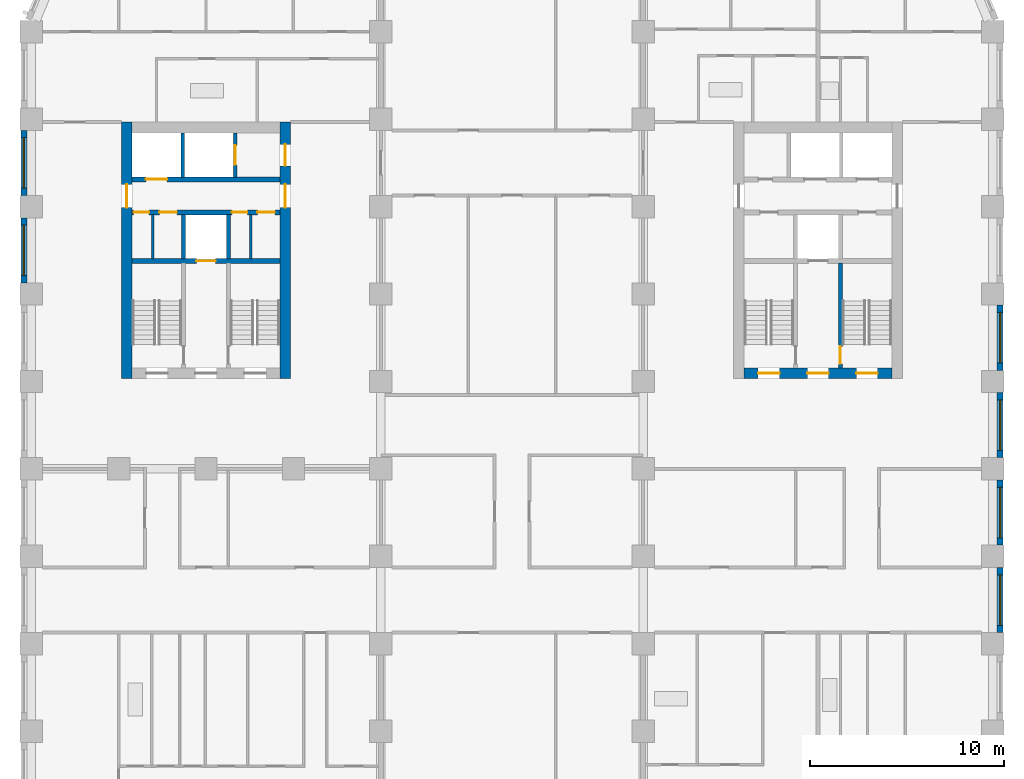
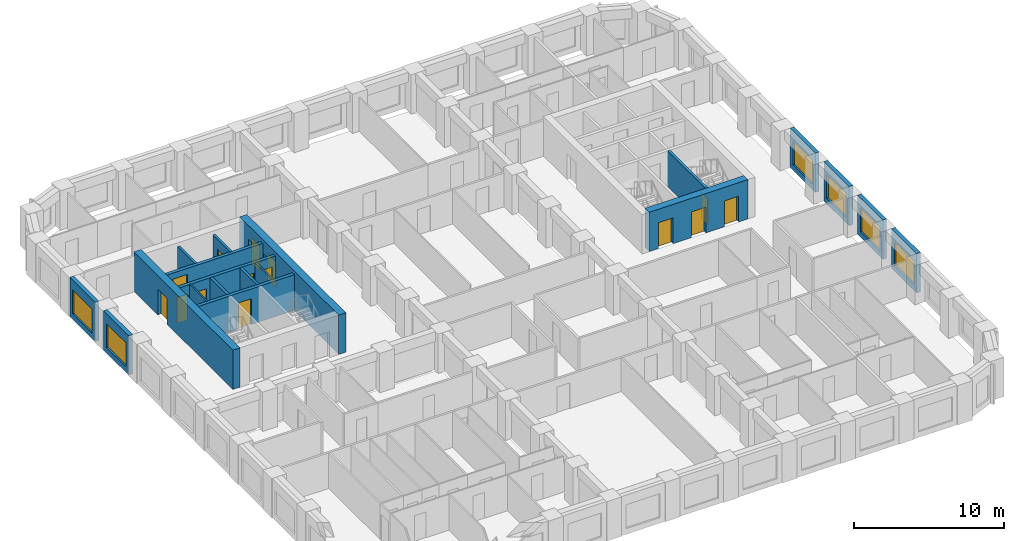
# One storey, part 6 of 13: 19 walls, 14 doors, 6 windows, 20 openings.
"""IFC4 building model written with IfcOpenShell, lengths in metres."""

from ifc_helpers import new_model, si_unit, direction, frame, frame_2d, origin, place, context, subcontext, project, spatial, rectangle, extrude, material, layer, layer_set, type_object, element, fill, save


model = new_model("IFC4")

# Units and contexts
model_context = context("Model", 3, precision=1e-05, world=origin(), true_north=direction((0.0, 1.0)))
body_context = subcontext(model_context, "Body", "Model", "MODEL_VIEW")
ifc_project = project(units=[si_unit("LENGTHUNIT", "METRE"), si_unit("AREAUNIT", "SQUARE_METRE"), si_unit("VOLUMEUNIT", "CUBIC_METRE"), si_unit("PLANEANGLEUNIT", "RADIAN"), si_unit("MASSUNIT", "GRAM", prefix="KILO")], contexts=[model_context])

# Site, building, storey
site_placement = place(None, origin())
site = spatial("IfcSite", under=ifc_project, at=site_placement, CompositionType="ELEMENT")
building_placement = place(site_placement, origin())
building = spatial("IfcBuilding", under=site, at=building_placement, Name="Girih Gate Residences", CompositionType="ELEMENT")
storey_placement = place(building_placement, frame((0.0, 0.0, 99.199951171875)))
storey = spatial("IfcBuildingStorey", under=building, at=storey_placement, Name="L27", CompositionType="ELEMENT", Elevation=99.199951171875)

# Wall, opening, door
ifc_material_1 = material(Name="Concrete C60/75", Category="concrete")
ifc_layer_1 = layer(ifc_material_1, 0.550048828125)
ifc_layer_set_1 = layer_set([ifc_layer_1], Name="Core wall RC 550 Concrete C60/75")
wall_type_1 = type_object("IfcWallType", Name="Core wall RC 550 Concrete C60/75", PredefinedType="SOLIDWALL", material=ifc_layer_set_1)
wall_1_placement = place(storey_placement, frame((4.925048828125, 27.14990234375, 0.0), z_axis=(0.0, 0.0, 1.0), x_axis=(0.0, 1.0, 0.0)))
wall_1 = element("IfcWall", 1, at=wall_1_placement, inside=storey, type_object=wall_type_1, Name="Core wall W-W L27", PredefinedType="SOLIDWALL", context=body_context, shape_type="SweptSolid", body=[
    extrude(rectangle(XDim=13.2001953125, YDim=0.550048828125, at=frame_2d((6.60009765625, 0.0))), origin(), (0.0, 0.0, 1.0), 3.199951171875),
])
opening_1_placement = place(wall_1_placement, frame((8.800048828125, 0.0, 0.0)))
opening_1 = element("IfcOpeningElement", 2, at=opening_1_placement, cuts=wall_1, Name="Opening D-L27-W-014", PredefinedType="OPENING", context=body_context, shape_type="SweptSolid", body=[
    extrude(rectangle(XDim=1.199951171875, YDim=2.10009765625, at=frame_2d((0.60009765625, 1.050048828125))), frame((0.0, 0.284912109375, 0.0), z_axis=(0.0, -1.0, 0.0), x_axis=(1.0, 0.0, 0.0)), (0.0, 0.0, 1.0), 0.570068359375),
])
ifc_material_2 = material(Name="Painted steel, fire-resisting", Category="steel")
door_type_1 = type_object("IfcDoorType", Name="Fire door 1200x2100", OperationType="SINGLE_SWING_LEFT", PredefinedType="DOOR", material=ifc_material_2)
door_1_placement = place(opening_1_placement, origin())
door_1 = element("IfcDoor", 3, at=door_1_placement, inside=storey, type_object=door_type_1, Name="L27 W core door ll-w", OperationType="SINGLE_SWING_LEFT", OverallHeight=2.10009765625, OverallWidth=1.199951171875, PredefinedType="DOOR", context=body_context, shape_type="SweptSolid", body=[
    extrude(rectangle(XDim=1.199951171875, YDim=2.10009765625, at=frame_2d((0.60009765625, 1.050048828125))), frame((0.0, 0.02490234375, 0.0), z_axis=(0.0, -1.0, 0.0), x_axis=(1.0, 0.0, 0.0)), (0.0, 0.0, 1.0), 0.050048828125),
])
fill(opening_1, door_1)

# Wall, openings, doors
wall_2_placement = place(storey_placement, frame((13.074951171875, 27.14990234375, 0.0), z_axis=(0.0, 0.0, 1.0), x_axis=(0.0, 1.0, 0.0)))
wall_2 = element("IfcWall", 4, at=wall_2_placement, inside=storey, type_object=wall_type_1, Name="Core wall W-E L27", PredefinedType="SOLIDWALL", context=body_context, shape_type="SweptSolid", body=[
    extrude(rectangle(XDim=13.2001953125, YDim=0.550048828125, at=frame_2d((6.60009765625, 0.0))), origin(), (0.0, 0.0, 1.0), 3.199951171875),
])
opening_2_placement = place(wall_2_placement, frame((10.949951171875, 0.0, 0.0)))
opening_2 = element("IfcOpeningElement", 5, at=opening_2_placement, cuts=wall_2, Name="Opening D-L27-W-013", PredefinedType="OPENING", context=body_context, shape_type="SweptSolid", body=[
    extrude(rectangle(XDim=1.10009765625, YDim=2.10009765625, at=frame_2d((0.550048828125, 1.050048828125))), frame((0.0, 0.284912109375, 0.0), z_axis=(0.0, -1.0, 0.0), x_axis=(1.0, 0.0, 0.0)), (0.0, 0.0, 1.0), 0.570068359375),
])
opening_3_placement = place(wall_2_placement, frame((8.800048828125, 0.0, 0.0)))
opening_3 = element("IfcOpeningElement", 6, at=opening_3_placement, cuts=wall_2, Name="Opening D-L27-W-015", PredefinedType="OPENING", context=body_context, shape_type="SweptSolid", body=[
    extrude(rectangle(XDim=1.199951171875, YDim=2.10009765625, at=frame_2d((0.60009765625, 1.050048828125))), frame((0.0, 0.284912109375, 0.0), z_axis=(0.0, -1.0, 0.0), x_axis=(1.0, 0.0, 0.0)), (0.0, 0.0, 1.0), 0.570068359375),
])
door_type_2 = type_object("IfcDoorType", Name="Fire door 1100x2100", OperationType="SINGLE_SWING_LEFT", PredefinedType="DOOR", material=ifc_material_2)
door_2_placement = place(opening_2_placement, origin())
door_2 = element("IfcDoor", 7, at=door_2_placement, inside=storey, type_object=door_type_2, Name="L27 W core door ffl2-e", OperationType="SINGLE_SWING_LEFT", OverallHeight=2.10009765625, OverallWidth=1.10009765625, PredefinedType="DOOR", context=body_context, shape_type="SweptSolid", body=[
    extrude(rectangle(XDim=1.10009765625, YDim=2.10009765625, at=frame_2d((0.550048828125, 1.050048828125))), frame((0.0, 0.02490234375, 0.0), z_axis=(0.0, -1.0, 0.0), x_axis=(1.0, 0.0, 0.0)), (0.0, 0.0, 1.0), 0.050048828125),
])
fill(opening_2, door_2)
door_3_placement = place(opening_3_placement, origin())
door_3 = element("IfcDoor", 8, at=door_3_placement, inside=storey, type_object=door_type_1, Name="L27 W core door ll-e", OperationType="SINGLE_SWING_LEFT", OverallHeight=2.10009765625, OverallWidth=1.199951171875, PredefinedType="DOOR", context=body_context, shape_type="SweptSolid", body=[
    extrude(rectangle(XDim=1.199951171875, YDim=2.10009765625, at=frame_2d((0.60009765625, 1.050048828125))), frame((0.0, 0.02490234375, 0.0), z_axis=(0.0, -1.0, 0.0), x_axis=(1.0, 0.0, 0.0)), (0.0, 0.0, 1.0), 0.050048828125),
])
fill(opening_3, door_3)

wall_3_placement = place(storey_placement, frame((36.699951171875, 27.425048828125, 0.0), z_axis=(0.0, 0.0, 1.0), x_axis=(1.0, 0.0, 0.0)))
wall_3 = element("IfcWall", 9, at=wall_3_placement, inside=storey, type_object=wall_type_1, Name="Core wall E-S L27", PredefinedType="SOLIDWALL", context=body_context, shape_type="SweptSolid", body=[
    extrude(rectangle(XDim=7.60009765625, YDim=0.550048828125, at=frame_2d((3.800048828125, 0.0))), origin(), (0.0, 0.0, 1.0), 3.199951171875),
])
opening_4_placement = place(wall_3_placement, frame((5.77490234375, 0.0, 0.0)))
opening_4 = element("IfcOpeningElement", 10, at=opening_4_placement, cuts=wall_3, Name="Opening D-L27-E-009", PredefinedType="OPENING", context=body_context, shape_type="SweptSolid", body=[
    extrude(rectangle(XDim=1.10009765625, YDim=2.10009765625, at=frame_2d((0.550048828125, 1.050048828125))), frame((0.0, 0.284912109375, 0.0), z_axis=(0.0, -1.0, 0.0), x_axis=(1.0, 0.0, 0.0)), (0.0, 0.0, 1.0), 0.570068359375),
])
opening_5_placement = place(wall_3_placement, frame((3.25, 0.0, 0.0)))
opening_5 = element("IfcOpeningElement", 11, at=opening_5_placement, cuts=wall_3, Name="Opening D-L27-E-010", PredefinedType="OPENING", context=body_context, shape_type="SweptSolid", body=[
    extrude(rectangle(XDim=1.10009765625, YDim=2.10009765625, at=frame_2d((0.550048828125, 1.050048828125))), frame((0.0, 0.284912109375, 0.0), z_axis=(0.0, -1.0, 0.0), x_axis=(1.0, 0.0, 0.0)), (0.0, 0.0, 1.0), 0.570068359375),
])
opening_6_placement = place(wall_3_placement, frame((0.72509765625, 0.0, 0.0)))
opening_6 = element("IfcOpeningElement", 12, at=opening_6_placement, cuts=wall_3, Name="Opening D-L27-E-011", PredefinedType="OPENING", context=body_context, shape_type="SweptSolid", body=[
    extrude(rectangle(XDim=1.10009765625, YDim=2.10009765625, at=frame_2d((0.550048828125, 1.050048828125))), frame((0.0, 0.284912109375, 0.0), z_axis=(0.0, -1.0, 0.0), x_axis=(1.0, 0.0, 0.0)), (0.0, 0.0, 1.0), 0.570068359375),
])
door_4_placement = place(opening_4_placement, origin())
door_4 = element("IfcDoor", 13, at=door_4_placement, inside=storey, type_object=door_type_2, Name="L27 E core door sta-out", OperationType="SINGLE_SWING_LEFT", OverallHeight=2.10009765625, OverallWidth=1.10009765625, PredefinedType="DOOR", context=body_context, shape_type="SweptSolid", body=[
    extrude(rectangle(XDim=1.10009765625, YDim=2.10009765625, at=frame_2d((0.550048828125, 1.050048828125))), frame((0.0, 0.02490234375, 0.0), z_axis=(0.0, -1.0, 0.0), x_axis=(1.0, 0.0, 0.0)), (0.0, 0.0, 1.0), 0.050048828125),
])
fill(opening_4, door_4)
door_5_placement = place(opening_5_placement, origin())
door_5 = element("IfcDoor", 14, at=door_5_placement, inside=storey, type_object=door_type_2, Name="L27 E core door ffl-out", OperationType="SINGLE_SWING_LEFT", OverallHeight=2.10009765625, OverallWidth=1.10009765625, PredefinedType="DOOR", context=body_context, shape_type="SweptSolid", body=[
    extrude(rectangle(XDim=1.10009765625, YDim=2.10009765625, at=frame_2d((0.550048828125, 1.050048828125))), frame((0.0, 0.02490234375, 0.0), z_axis=(0.0, -1.0, 0.0), x_axis=(1.0, 0.0, 0.0)), (0.0, 0.0, 1.0), 0.050048828125),
])
fill(opening_5, door_5)
door_6_placement = place(opening_6_placement, origin())
door_6 = element("IfcDoor", 15, at=door_6_placement, inside=storey, type_object=door_type_2, Name="L27 E core door stb-out", OperationType="SINGLE_SWING_LEFT", OverallHeight=2.10009765625, OverallWidth=1.10009765625, PredefinedType="DOOR", context=body_context, shape_type="SweptSolid", body=[
    extrude(rectangle(XDim=1.10009765625, YDim=2.10009765625, at=frame_2d((0.550048828125, 1.050048828125))), frame((0.0, 0.02490234375, 0.0), z_axis=(0.0, -1.0, 0.0), x_axis=(1.0, 0.0, 0.0)), (0.0, 0.0, 1.0), 0.050048828125),
])
fill(opening_6, door_6)

# Wall, opening, door
ifc_material_3 = material(Name="Concrete C40/50", Category="concrete")
ifc_layer_2 = layer(ifc_material_3, 0.25)
ifc_layer_set_2 = layer_set([ifc_layer_2], Name="Lift shaft wall 250")
wall_type_2 = type_object("IfcWallType", Name="Lift shaft wall 250", PredefinedType="SOLIDWALL", material=ifc_layer_set_2)
wall_4_placement = place(storey_placement, frame((5.199951171875, 33.199951171875, 0.0), z_axis=(0.0, 0.0, 1.0), x_axis=(1.0, 0.0, 0.0)))
wall_4 = element("IfcWall", 16, at=wall_4_placement, inside=storey, type_object=wall_type_2, Name="L27 W core wall H1", PredefinedType="SOLIDWALL", context=body_context, shape_type="SweptSolid", body=[
    extrude(rectangle(XDim=7.60009765625, YDim=0.25, at=frame_2d((3.800048828125, 0.0))), origin(), (0.0, 0.0, 1.0), 2.900146484375),
])
opening_7_placement = place(wall_4_placement, frame((3.300048828125, 0.0, 0.0)))
opening_7 = element("IfcOpeningElement", 17, at=opening_7_placement, cuts=wall_4, Name="Opening D-L27-W-005", PredefinedType="OPENING", context=body_context, shape_type="SweptSolid", body=[
    extrude(rectangle(XDim=1.0, YDim=2.10009765625, at=frame_2d((0.5, 1.050048828125))), frame((0.0, 0.135009765625, 0.0), z_axis=(0.0, -1.0, 0.0), x_axis=(1.0, 0.0, 0.0)), (0.0, 0.0, 1.0), 0.27001953125),
])
ifc_material_4 = material(Name="Stainless steel, fire-resisting", Category="steel")
door_type_3 = type_object("IfcDoorType", Name="Firefighting lift landing door 1000x2100", OperationType="SLIDING_TO_LEFT", PredefinedType="DOOR", material=ifc_material_4)
door_7_placement = place(opening_7_placement, origin())
door_7 = element("IfcDoor", 18, at=door_7_placement, inside=storey, type_object=door_type_3, Name="L27 lift FF-W landing door", OperationType="SLIDING_TO_LEFT", OverallHeight=2.10009765625, OverallWidth=1.0, PredefinedType="DOOR", context=body_context, shape_type="SweptSolid", body=[
    extrude(rectangle(XDim=1.0, YDim=2.10009765625, at=frame_2d((0.5, 1.050048828125))), frame((0.0, 0.02490234375, 0.0), z_axis=(0.0, -1.0, 0.0), x_axis=(1.0, 0.0, 0.0)), (0.0, 0.0, 1.0), 0.050048828125),
])
fill(opening_7, door_7)

# Wall, openings, doors
wall_5_placement = place(storey_placement, frame((5.199951171875, 35.699951171875, 0.0), z_axis=(0.0, 0.0, 1.0), x_axis=(1.0, 0.0, 0.0)))
wall_5 = element("IfcWall", 19, at=wall_5_placement, inside=storey, type_object=wall_type_2, Name="L27 W core wall H2", PredefinedType="SOLIDWALL", context=body_context, shape_type="SweptSolid", body=[
    extrude(rectangle(XDim=7.60009765625, YDim=0.25, at=frame_2d((3.800048828125, 0.0))), origin(), (0.0, 0.0, 1.0), 2.900146484375),
])
opening_8_placement = place(wall_5_placement, frame((0.074951171875, 0.0, 0.0)))
opening_8 = element("IfcOpeningElement", 20, at=opening_8_placement, cuts=wall_5, Name="Opening D-L27-W-006", PredefinedType="OPENING", context=body_context, shape_type="SweptSolid", body=[
    extrude(rectangle(XDim=0.800048828125, YDim=2.10009765625, at=frame_2d((0.39990234375, 1.050048828125))), frame((0.0, 0.135009765625, 0.0), z_axis=(0.0, -1.0, 0.0), x_axis=(1.0, 0.0, 0.0)), (0.0, 0.0, 1.0), 0.27001953125),
])
opening_9_placement = place(wall_5_placement, frame((1.39990234375, 0.0, 0.0)))
opening_9 = element("IfcOpeningElement", 21, at=opening_9_placement, cuts=wall_5, Name="Opening D-L27-W-007", PredefinedType="OPENING", context=body_context, shape_type="SweptSolid", body=[
    extrude(rectangle(XDim=0.89990234375, YDim=2.10009765625, at=frame_2d((0.449951171875, 1.050048828125))), frame((0.0, 0.135009765625, 0.0), z_axis=(0.0, -1.0, 0.0), x_axis=(1.0, 0.0, 0.0)), (0.0, 0.0, 1.0), 0.27001953125),
])
opening_10_placement = place(wall_5_placement, frame((5.125, 0.0, 0.0)))
opening_10 = element("IfcOpeningElement", 22, at=opening_10_placement, cuts=wall_5, Name="Opening D-L27-W-008", PredefinedType="OPENING", context=body_context, shape_type="SweptSolid", body=[
    extrude(rectangle(XDim=0.800048828125, YDim=2.10009765625, at=frame_2d((0.39990234375, 1.050048828125))), frame((0.0, 0.135009765625, 0.0), z_axis=(0.0, -1.0, 0.0), x_axis=(1.0, 0.0, 0.0)), (0.0, 0.0, 1.0), 0.27001953125),
])
opening_11_placement = place(wall_5_placement, frame((6.449951171875, 0.0, 0.0)))
opening_11 = element("IfcOpeningElement", 23, at=opening_11_placement, cuts=wall_5, Name="Opening D-L27-W-009", PredefinedType="OPENING", context=body_context, shape_type="SweptSolid", body=[
    extrude(rectangle(XDim=0.89990234375, YDim=2.10009765625, at=frame_2d((0.449951171875, 1.050048828125))), frame((0.0, 0.135009765625, 0.0), z_axis=(0.0, -1.0, 0.0), x_axis=(1.0, 0.0, 0.0)), (0.0, 0.0, 1.0), 0.27001953125),
])
door_type_4 = type_object("IfcDoorType", Name="Fire door 800x2100", OperationType="SINGLE_SWING_LEFT", PredefinedType="DOOR", material=ifc_material_2)
door_8_placement = place(opening_8_placement, origin())
door_8 = element("IfcDoor", 24, at=door_8_placement, inside=storey, type_object=door_type_4, Name="L27 W linen store door", OperationType="SINGLE_SWING_LEFT", OverallHeight=2.10009765625, OverallWidth=0.800048828125, PredefinedType="DOOR", context=body_context, shape_type="SweptSolid", body=[
    extrude(rectangle(XDim=0.800048828125, YDim=2.10009765625, at=frame_2d((0.39990234375, 1.050048828125))), frame((0.0, 0.02490234375, 0.0), z_axis=(0.0, -1.0, 0.0), x_axis=(1.0, 0.0, 0.0)), (0.0, 0.0, 1.0), 0.050048828125),
])
fill(opening_8, door_8)
door_9_placement = place(opening_10_placement, origin())
door_9 = element("IfcDoor", 25, at=door_9_placement, inside=storey, type_object=door_type_4, Name="L27 W housekeeping store door", OperationType="SINGLE_SWING_LEFT", OverallHeight=2.10009765625, OverallWidth=0.800048828125, PredefinedType="DOOR", context=body_context, shape_type="SweptSolid", body=[
    extrude(rectangle(XDim=0.800048828125, YDim=2.10009765625, at=frame_2d((0.39990234375, 1.050048828125))), frame((0.0, 0.02490234375, 0.0), z_axis=(0.0, -1.0, 0.0), x_axis=(1.0, 0.0, 0.0)), (0.0, 0.0, 1.0), 0.050048828125),
])
fill(opening_10, door_9)
door_type_5 = type_object("IfcDoorType", Name="Fire door 900x2100", OperationType="SINGLE_SWING_LEFT", PredefinedType="DOOR", material=ifc_material_2)
door_10_placement = place(opening_9_placement, origin())
door_10 = element("IfcDoor", 26, at=door_10_placement, inside=storey, type_object=door_type_5, Name="L27 W store door", OperationType="SINGLE_SWING_LEFT", OverallHeight=2.10009765625, OverallWidth=0.89990234375, PredefinedType="DOOR", context=body_context, shape_type="SweptSolid", body=[
    extrude(rectangle(XDim=0.89990234375, YDim=2.10009765625, at=frame_2d((0.449951171875, 1.050048828125))), frame((0.0, 0.02490234375, 0.0), z_axis=(0.0, -1.0, 0.0), x_axis=(1.0, 0.0, 0.0)), (0.0, 0.0, 1.0), 0.050048828125),
])
fill(opening_9, door_10)
door_11_placement = place(opening_11_placement, origin())
door_11 = element("IfcDoor", 27, at=door_11_placement, inside=storey, type_object=door_type_5, Name="L27 W refuse store door", OperationType="SINGLE_SWING_LEFT", OverallHeight=2.10009765625, OverallWidth=0.89990234375, PredefinedType="DOOR", context=body_context, shape_type="SweptSolid", body=[
    extrude(rectangle(XDim=0.89990234375, YDim=2.10009765625, at=frame_2d((0.449951171875, 1.050048828125))), frame((0.0, 0.02490234375, 0.0), z_axis=(0.0, -1.0, 0.0), x_axis=(1.0, 0.0, 0.0)), (0.0, 0.0, 1.0), 0.050048828125),
])
fill(opening_11, door_11)

# Wall, opening, door
wall_6_placement = place(storey_placement, frame((5.199951171875, 37.39990234375, 0.0), z_axis=(0.0, 0.0, 1.0), x_axis=(1.0, 0.0, 0.0)))
wall_6 = element("IfcWall", 28, at=wall_6_placement, inside=storey, type_object=wall_type_2, Name="L27 W core wall H3", PredefinedType="SOLIDWALL", context=body_context, shape_type="SweptSolid", body=[
    extrude(rectangle(XDim=7.60009765625, YDim=0.25, at=frame_2d((3.800048828125, 0.0))), origin(), (0.0, 0.0, 1.0), 2.900146484375),
])
opening_12_placement = place(wall_6_placement, frame((0.699951171875, 0.0, 0.0)))
opening_12 = element("IfcOpeningElement", 29, at=opening_12_placement, cuts=wall_6, Name="Opening D-L27-W-003", PredefinedType="OPENING", context=body_context, shape_type="SweptSolid", body=[
    extrude(rectangle(XDim=1.10009765625, YDim=2.39990234375, at=frame_2d((0.550048828125, 1.199951171875))), frame((0.0, 0.135009765625, 0.0), z_axis=(0.0, -1.0, 0.0), x_axis=(1.0, 0.0, 0.0)), (0.0, 0.0, 1.0), 0.27001953125),
])
ifc_material_5 = material(Name="Stainless steel", Category="steel")
door_type_6 = type_object("IfcDoorType", Name="Lift landing door 1100x2400", OperationType="SLIDING_TO_LEFT", PredefinedType="DOOR", material=ifc_material_5)
door_12_placement = place(opening_12_placement, origin())
door_12 = element("IfcDoor", 30, at=door_12_placement, inside=storey, type_object=door_type_6, Name="L27 lift LR-W1 landing door", OperationType="SLIDING_TO_LEFT", OverallHeight=2.39990234375, OverallWidth=1.10009765625, PredefinedType="DOOR", context=body_context, shape_type="SweptSolid", body=[
    extrude(rectangle(XDim=1.10009765625, YDim=2.39990234375, at=frame_2d((0.550048828125, 1.199951171875))), frame((0.0, 0.02490234375, 0.0), z_axis=(0.0, -1.0, 0.0), x_axis=(1.0, 0.0, 0.0)), (0.0, 0.0, 1.0), 0.050048828125),
])
fill(opening_12, door_12)

# Wall, opening, window
ifc_material_6 = material(Name="Precast concrete C50/60", Category="concrete")
ifc_layer_3 = layer(ifc_material_6, 0.080078125, Name="Outer leaf")
ifc_material_7 = material(Name="Rigid PIR insulation")
ifc_layer_4 = layer(ifc_material_7, 0.14990234375, Name="Insulation")
ifc_material_8 = material(Name="Precast concrete C40/50", Category="concrete")
ifc_layer_5 = layer(ifc_material_8, 0.070068359375, Name="Inner leaf")
ifc_layer_set_3 = layer_set([ifc_layer_3, ifc_layer_4, ifc_layer_5], Name="Precast concrete C50/60 external wall 300")
wall_type_3 = type_object("IfcWallType", Name="Precast concrete C50/60 external wall 300", PredefinedType="SOLIDWALL", material=ifc_layer_set_3)
wall_7_placement = place(storey_placement, frame((49.875, 17.425048828125, 0.0), z_axis=(0.0, 0.0, 1.0), x_axis=(0.0, -1.0, 0.0)))
wall_7 = element("IfcWall", 31, at=wall_7_placement, inside=storey, type_object=wall_type_3, Name="External wall E0495_0045.2", PredefinedType="SOLIDWALL", context=body_context, shape_type="SweptSolid", body=[
    extrude(rectangle(XDim=3.35009765625, YDim=0.300048828125, at=frame_2d((1.675048828125, 0.0))), origin(), (0.0, 0.0, 1.0), 3.199951171875),
])
opening_13_placement = place(wall_7_placement, frame((0.375, 0.0, 0.449951171875)))
opening_13 = element("IfcOpeningElement", 32, at=opening_13_placement, cuts=wall_7, Name="Opening W-1A", PredefinedType="OPENING", context=body_context, shape_type="SweptSolid", body=[
    extrude(rectangle(XDim=2.60009765625, YDim=1.949951171875, at=frame_2d((1.300048828125, 0.97509765625))), frame((0.0, 0.159912109375, 0.0), z_axis=(0.0, -1.0, 0.0), x_axis=(1.0, 0.0, 0.0)), (0.0, 0.0, 1.0), 0.320068359375),
])
ifc_material_9 = material(Name="Double glazing in aluminium frame", Category="aluminium")
window_type = type_object("IfcWindowType", Name="Window W-1A 2600x1950", PartitioningType="SINGLE_PANEL", PredefinedType="WINDOW", material=ifc_material_9)
window_1_placement = place(opening_13_placement, origin())
window_1 = element("IfcWindow", 33, at=window_1_placement, inside=storey, type_object=window_type, Name="Window W-1A E0495_0045.2", OverallHeight=1.949951171875, OverallWidth=2.60009765625, PartitioningType="SINGLE_PANEL", PredefinedType="WINDOW", context=body_context, shape_type="SweptSolid", body=[
    extrude(rectangle(XDim=2.60009765625, YDim=1.949951171875, at=frame_2d((1.300048828125, 0.97509765625))), frame((0.0, 0.030029296875, 0.0), z_axis=(0.0, -1.0, 0.0), x_axis=(1.0, 0.0, 0.0)), (0.0, 0.0, 1.0), 0.06005859375),
])
fill(opening_13, window_1)

wall_8_placement = place(storey_placement, frame((49.875, 21.925048828125, 0.0), z_axis=(0.0, 0.0, 1.0), x_axis=(0.0, -1.0, 0.0)))
wall_8 = element("IfcWall", 34, at=wall_8_placement, inside=storey, type_object=wall_type_3, Name="External wall E0495_0045.3", PredefinedType="SOLIDWALL", context=body_context, shape_type="SweptSolid", body=[
    extrude(rectangle(XDim=3.35009765625, YDim=0.300048828125, at=frame_2d((1.675048828125, 0.0))), origin(), (0.0, 0.0, 1.0), 3.199951171875),
])
opening_14_placement = place(wall_8_placement, frame((0.375, 0.0, 0.449951171875)))
opening_14 = element("IfcOpeningElement", 35, at=opening_14_placement, cuts=wall_8, Name="Opening W-1A", PredefinedType="OPENING", context=body_context, shape_type="SweptSolid", body=[
    extrude(rectangle(XDim=2.60009765625, YDim=1.949951171875, at=frame_2d((1.300048828125, 0.97509765625))), frame((0.0, 0.159912109375, 0.0), z_axis=(0.0, -1.0, 0.0), x_axis=(1.0, 0.0, 0.0)), (0.0, 0.0, 1.0), 0.320068359375),
])
window_2_placement = place(opening_14_placement, origin())
window_2 = element("IfcWindow", 36, at=window_2_placement, inside=storey, type_object=window_type, Name="Window W-1A E0495_0045.3", OverallHeight=1.949951171875, OverallWidth=2.60009765625, PartitioningType="SINGLE_PANEL", PredefinedType="WINDOW", context=body_context, shape_type="SweptSolid", body=[
    extrude(rectangle(XDim=2.60009765625, YDim=1.949951171875, at=frame_2d((1.300048828125, 0.97509765625))), frame((0.0, 0.030029296875, 0.0), z_axis=(0.0, -1.0, 0.0), x_axis=(1.0, 0.0, 0.0)), (0.0, 0.0, 1.0), 0.06005859375),
])
fill(opening_14, window_2)

wall_9_placement = place(storey_placement, frame((49.875, 26.425048828125, 0.0), z_axis=(0.0, 0.0, 1.0), x_axis=(0.0, -1.0, 0.0)))
wall_9 = element("IfcWall", 37, at=wall_9_placement, inside=storey, type_object=wall_type_3, Name="External wall E0495_0045.4", PredefinedType="SOLIDWALL", context=body_context, shape_type="SweptSolid", body=[
    extrude(rectangle(XDim=3.35009765625, YDim=0.300048828125, at=frame_2d((1.675048828125, 0.0))), origin(), (0.0, 0.0, 1.0), 3.199951171875),
])
opening_15_placement = place(wall_9_placement, frame((0.375, 0.0, 0.449951171875)))
opening_15 = element("IfcOpeningElement", 38, at=opening_15_placement, cuts=wall_9, Name="Opening W-1A", PredefinedType="OPENING", context=body_context, shape_type="SweptSolid", body=[
    extrude(rectangle(XDim=2.60009765625, YDim=1.949951171875, at=frame_2d((1.300048828125, 0.97509765625))), frame((0.0, 0.159912109375, 0.0), z_axis=(0.0, -1.0, 0.0), x_axis=(1.0, 0.0, 0.0)), (0.0, 0.0, 1.0), 0.320068359375),
])
window_3_placement = place(opening_15_placement, origin())
window_3 = element("IfcWindow", 39, at=window_3_placement, inside=storey, type_object=window_type, Name="Window W-1A E0495_0045.4", OverallHeight=1.949951171875, OverallWidth=2.60009765625, PartitioningType="SINGLE_PANEL", PredefinedType="WINDOW", context=body_context, shape_type="SweptSolid", body=[
    extrude(rectangle(XDim=2.60009765625, YDim=1.949951171875, at=frame_2d((1.300048828125, 0.97509765625))), frame((0.0, 0.030029296875, 0.0), z_axis=(0.0, -1.0, 0.0), x_axis=(1.0, 0.0, 0.0)), (0.0, 0.0, 1.0), 0.06005859375),
])
fill(opening_15, window_3)

wall_10_placement = place(storey_placement, frame((49.875, 30.925048828125, 0.0), z_axis=(0.0, 0.0, 1.0), x_axis=(0.0, -1.0, 0.0)))
wall_10 = element("IfcWall", 40, at=wall_10_placement, inside=storey, type_object=wall_type_3, Name="External wall E0495_0045.5", PredefinedType="SOLIDWALL", context=body_context, shape_type="SweptSolid", body=[
    extrude(rectangle(XDim=3.35009765625, YDim=0.300048828125, at=frame_2d((1.675048828125, 0.0))), origin(), (0.0, 0.0, 1.0), 3.199951171875),
])
opening_16_placement = place(wall_10_placement, frame((0.375, 0.0, 0.449951171875)))
opening_16 = element("IfcOpeningElement", 41, at=opening_16_placement, cuts=wall_10, Name="Opening W-1A", PredefinedType="OPENING", context=body_context, shape_type="SweptSolid", body=[
    extrude(rectangle(XDim=2.60009765625, YDim=1.949951171875, at=frame_2d((1.300048828125, 0.97509765625))), frame((0.0, 0.159912109375, 0.0), z_axis=(0.0, -1.0, 0.0), x_axis=(1.0, 0.0, 0.0)), (0.0, 0.0, 1.0), 0.320068359375),
])
window_4_placement = place(opening_16_placement, origin())
window_4 = element("IfcWindow", 42, at=window_4_placement, inside=storey, type_object=window_type, Name="Window W-1A E0495_0045.5", OverallHeight=1.949951171875, OverallWidth=2.60009765625, PartitioningType="SINGLE_PANEL", PredefinedType="WINDOW", context=body_context, shape_type="SweptSolid", body=[
    extrude(rectangle(XDim=2.60009765625, YDim=1.949951171875, at=frame_2d((1.300048828125, 0.97509765625))), frame((0.0, 0.030029296875, 0.0), z_axis=(0.0, -1.0, 0.0), x_axis=(1.0, 0.0, 0.0)), (0.0, 0.0, 1.0), 0.06005859375),
])
fill(opening_16, window_4)

wall_11_placement = place(storey_placement, frame((-0.375, 36.574951171875, 0.0), z_axis=(0.0, 0.0, 1.0), x_axis=(0.0, 1.0, 0.0)))
wall_11 = element("IfcWall", 43, at=wall_11_placement, inside=storey, type_object=wall_type_3, Name="External wall W0000_0450.1", PredefinedType="SOLIDWALL", context=body_context, shape_type="SweptSolid", body=[
    extrude(rectangle(XDim=3.35009765625, YDim=0.300048828125, at=frame_2d((1.675048828125, 0.0))), origin(), (0.0, 0.0, 1.0), 3.199951171875),
])
opening_17_placement = place(wall_11_placement, frame((0.375, 0.0, 0.449951171875)))
opening_17 = element("IfcOpeningElement", 44, at=opening_17_placement, cuts=wall_11, Name="Opening W-1A", PredefinedType="OPENING", context=body_context, shape_type="SweptSolid", body=[
    extrude(rectangle(XDim=2.60009765625, YDim=1.949951171875, at=frame_2d((1.300048828125, 0.97509765625))), frame((0.0, 0.159912109375, 0.0), z_axis=(0.0, -1.0, 0.0), x_axis=(1.0, 0.0, 0.0)), (0.0, 0.0, 1.0), 0.320068359375),
])
window_5_placement = place(opening_17_placement, origin())
window_5 = element("IfcWindow", 45, at=window_5_placement, inside=storey, type_object=window_type, Name="Window W-1A W0000_0450.1", OverallHeight=1.949951171875, OverallWidth=2.60009765625, PartitioningType="SINGLE_PANEL", PredefinedType="WINDOW", context=body_context, shape_type="SweptSolid", body=[
    extrude(rectangle(XDim=2.60009765625, YDim=1.949951171875, at=frame_2d((1.300048828125, 0.97509765625))), frame((0.0, 0.030029296875, 0.0), z_axis=(0.0, -1.0, 0.0), x_axis=(1.0, 0.0, 0.0)), (0.0, 0.0, 1.0), 0.06005859375),
])
fill(opening_17, window_5)

wall_12_placement = place(storey_placement, frame((-0.375, 32.074951171875, 0.0), z_axis=(0.0, 0.0, 1.0), x_axis=(0.0, 1.0, 0.0)))
wall_12 = element("IfcWall", 46, at=wall_12_placement, inside=storey, type_object=wall_type_3, Name="External wall W0000_0450.2", PredefinedType="SOLIDWALL", context=body_context, shape_type="SweptSolid", body=[
    extrude(rectangle(XDim=3.35009765625, YDim=0.300048828125, at=frame_2d((1.675048828125, 0.0))), origin(), (0.0, 0.0, 1.0), 3.199951171875),
])
opening_18_placement = place(wall_12_placement, frame((0.375, 0.0, 0.449951171875)))
opening_18 = element("IfcOpeningElement", 47, at=opening_18_placement, cuts=wall_12, Name="Opening W-1A", PredefinedType="OPENING", context=body_context, shape_type="SweptSolid", body=[
    extrude(rectangle(XDim=2.60009765625, YDim=1.949951171875, at=frame_2d((1.300048828125, 0.97509765625))), frame((0.0, 0.159912109375, 0.0), z_axis=(0.0, -1.0, 0.0), x_axis=(1.0, 0.0, 0.0)), (0.0, 0.0, 1.0), 0.320068359375),
])
window_6_placement = place(opening_18_placement, origin())
window_6 = element("IfcWindow", 48, at=window_6_placement, inside=storey, type_object=window_type, Name="Window W-1A W0000_0450.2", OverallHeight=1.949951171875, OverallWidth=2.60009765625, PartitioningType="SINGLE_PANEL", PredefinedType="WINDOW", context=body_context, shape_type="SweptSolid", body=[
    extrude(rectangle(XDim=2.60009765625, YDim=1.949951171875, at=frame_2d((1.300048828125, 0.97509765625))), frame((0.0, 0.030029296875, 0.0), z_axis=(0.0, -1.0, 0.0), x_axis=(1.0, 0.0, 0.0)), (0.0, 0.0, 1.0), 0.06005859375),
])
fill(opening_18, window_6)

# Wall
ifc_layer_6 = layer(ifc_material_3, 0.175048828125)
ifc_layer_set_4 = layer_set([ifc_layer_6], Name="Riser shaft wall 175")
wall_type_4 = type_object("IfcWallType", Name="Riser shaft wall 175", PredefinedType="SOLIDWALL", material=ifc_layer_set_4)
wall_13_placement = place(storey_placement, frame((7.800048828125, 37.5, 0.0), z_axis=(0.0, 0.0, 1.0), x_axis=(0.0, 1.0, 0.0)))
element("IfcWall", 49, at=wall_13_placement, inside=storey, type_object=wall_type_4, Name="L27 W core wall V1c", PredefinedType="SOLIDWALL", context=body_context, shape_type="SweptSolid", body=[
    extrude(rectangle(XDim=2.300048828125, YDim=0.175048828125, at=frame_2d((1.14990234375, 0.0))), origin(), (0.0, 0.0, 1.0), 2.900146484375),
])

# Wall, opening, door
wall_14_placement = place(storey_placement, frame((10.5, 37.5, 0.0), z_axis=(0.0, 0.0, 1.0), x_axis=(0.0, 1.0, 0.0)))
wall_14 = element("IfcWall", 50, at=wall_14_placement, inside=storey, type_object=wall_type_4, Name="L27 W core wall V2c", PredefinedType="SOLIDWALL", context=body_context, shape_type="SweptSolid", body=[
    extrude(rectangle(XDim=2.300048828125, YDim=0.175048828125, at=frame_2d((1.14990234375, 0.0))), origin(), (0.0, 0.0, 1.0), 2.900146484375),
])
opening_19_placement = place(wall_14_placement, frame((0.64990234375, 0.0, 0.0)))
opening_19 = element("IfcOpeningElement", 51, at=opening_19_placement, cuts=wall_14, Name="Opening D-L27-W-004", PredefinedType="OPENING", context=body_context, shape_type="SweptSolid", body=[
    extrude(rectangle(XDim=1.0, YDim=2.10009765625, at=frame_2d((0.5, 1.050048828125))), frame((0.0, 0.097412109375, 0.0), z_axis=(0.0, -1.0, 0.0), x_axis=(1.0, 0.0, 0.0)), (0.0, 0.0, 1.0), 0.195068359375),
])
door_13_placement = place(opening_19_placement, origin())
door_13 = element("IfcDoor", 52, at=door_13_placement, inside=storey, type_object=door_type_3, Name="L27 lift FF-W2 landing door", OperationType="SLIDING_TO_LEFT", OverallHeight=2.10009765625, OverallWidth=1.0, PredefinedType="DOOR", context=body_context, shape_type="SweptSolid", body=[
    extrude(rectangle(XDim=1.0, YDim=2.10009765625, at=frame_2d((0.5, 1.050048828125))), frame((0.0, 0.02490234375, 0.0), z_axis=(0.0, -1.0, 0.0), x_axis=(1.0, 0.0, 0.0)), (0.0, 0.0, 1.0), 0.050048828125),
])
fill(opening_19, door_13)

# Walls
ifc_layer_7 = layer(ifc_material_3, 0.199951171875)
ifc_layer_set_5 = layer_set([ifc_layer_7], Name="Shaft wall 200")
wall_type_5 = type_object("IfcWallType", Name="Shaft wall 200", PredefinedType="SOLIDWALL", material=ifc_layer_set_5)
for number, where, z_axis, x_axis, name in (
    (53, (7.85009765625, 33.300048828125, 0.0), (0.0, 0.0, 1.0), (0.0, 1.0, 0.0), "L27 W core wall V1b"),
    (54, (10.14990234375, 33.300048828125, 0.0), (0.0, 0.0, 1.0), (0.0, 1.0, 0.0), "L27 W core wall V2b"),
):
    element("IfcWall", number, at=place(storey_placement, frame(where, z_axis=z_axis, x_axis=x_axis)), inside=storey, type_object=wall_type_5, Name=name, PredefinedType="SOLIDWALL", context=body_context, shape_type="SweptSolid", body=[
        extrude(rectangle(XDim=2.300048828125, YDim=0.199951171875, at=frame_2d((1.14990234375, 0.0))), origin(), (0.0, 0.0, 1.0), 2.900146484375),
    ])

# Wall, opening, door
wall_15_placement = place(storey_placement, frame((41.64990234375, 27.699951171875, 0.0), z_axis=(0.0, 0.0, 1.0), x_axis=(0.0, 1.0, 0.0)))
wall_15 = element("IfcWall", 55, at=wall_15_placement, inside=storey, type_object=wall_type_5, Name="L27 E core wall V1a", PredefinedType="SOLIDWALL", context=body_context, shape_type="SweptSolid", body=[
    extrude(rectangle(XDim=5.400146484375, YDim=0.199951171875, at=frame_2d((2.7001953125, 0.0))), origin(), (0.0, 0.0, 1.0), 2.900146484375),
])
opening_20_placement = place(wall_15_placement, frame((0.199951171875, 0.0, 0.0)))
opening_20 = element("IfcOpeningElement", 56, at=opening_20_placement, cuts=wall_15, Name="Opening D-L27-E-001", PredefinedType="OPENING", context=body_context, shape_type="SweptSolid", body=[
    extrude(rectangle(XDim=0.89990234375, YDim=2.10009765625, at=frame_2d((0.449951171875, 1.050048828125))), frame((0.0, 0.10986328125, 0.0), z_axis=(0.0, -1.0, 0.0), x_axis=(1.0, 0.0, 0.0)), (0.0, 0.0, 1.0), 0.219970703125),
])
door_14_placement = place(opening_20_placement, origin())
door_14 = element("IfcDoor", 57, at=door_14_placement, inside=storey, type_object=door_type_5, Name="L27 E door stair 1 to firefighting lobby", OperationType="SINGLE_SWING_LEFT", OverallHeight=2.10009765625, OverallWidth=0.89990234375, PredefinedType="DOOR", context=body_context, shape_type="SweptSolid", body=[
    extrude(rectangle(XDim=0.89990234375, YDim=2.10009765625, at=frame_2d((0.449951171875, 1.050048828125))), frame((0.0, 0.02490234375, 0.0), z_axis=(0.0, -1.0, 0.0), x_axis=(1.0, 0.0, 0.0)), (0.0, 0.0, 1.0), 0.050048828125),
])
fill(opening_20, door_14)

# Walls
ifc_material_10 = material(Name="Calcium silicate blockwork", Category="masonry")
ifc_layer_8 = layer(ifc_material_10, 0.125)
ifc_layer_set_6 = layer_set([ifc_layer_8], Name="Store partition 125")
wall_type_6 = type_object("IfcWallType", Name="Store partition 125", PredefinedType="PARTITIONING", material=ifc_layer_set_6)
for number, where, z_axis, x_axis, name in (
    (58, (6.25, 33.300048828125, 0.0), (0.0, 0.0, 1.0), (0.0, 1.0, 0.0), "L27 W core wall SHR1"),
    (59, (11.300048828125, 33.300048828125, 0.0), (0.0, 0.0, 1.0), (0.0, 1.0, 0.0), "L27 W core wall SHR2"),
):
    element("IfcWall", number, at=place(storey_placement, frame(where, z_axis=z_axis, x_axis=x_axis)), inside=storey, type_object=wall_type_6, Name=name, PredefinedType="PARTITIONING", context=body_context, shape_type="SweptSolid", body=[
        extrude(rectangle(XDim=2.300048828125, YDim=0.125, at=frame_2d((1.14990234375, 0.0))), origin(), (0.0, 0.0, 1.0), 2.900146484375),
    ])

save(model, "model.ifc")
